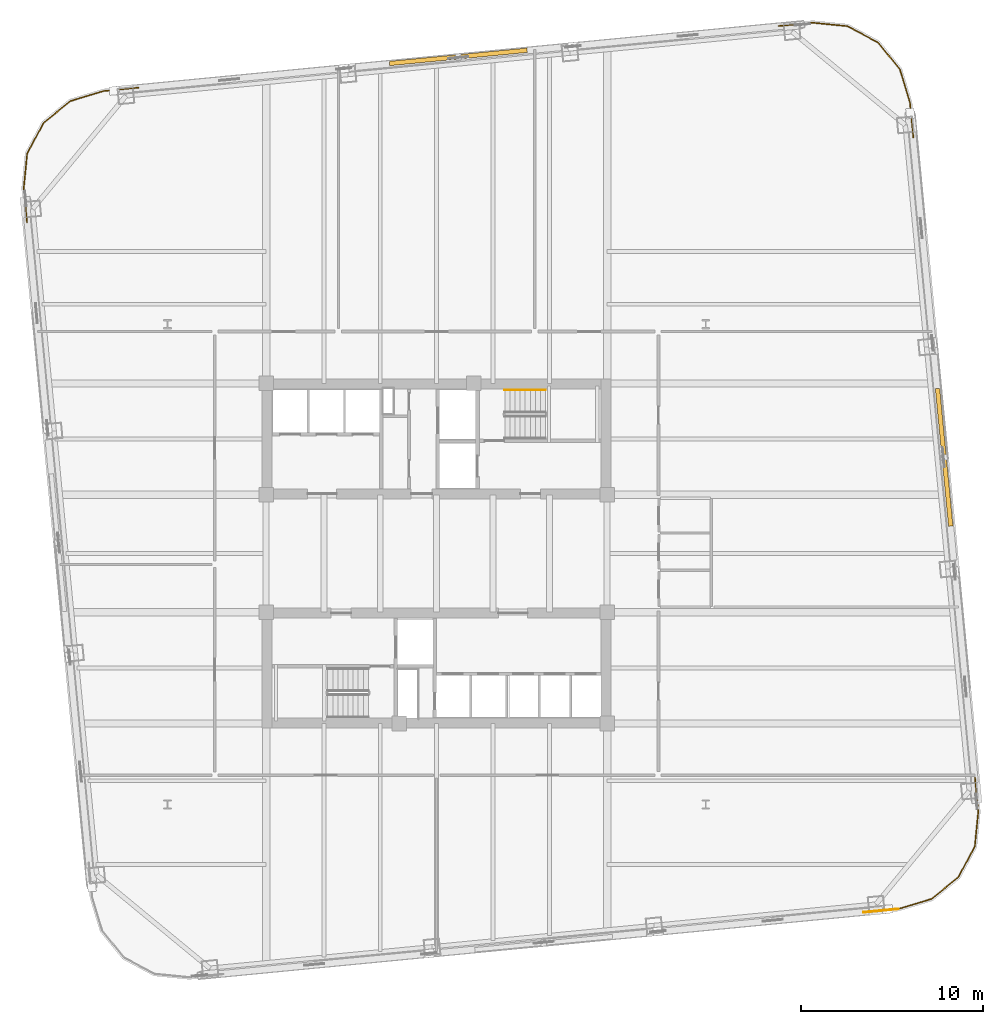
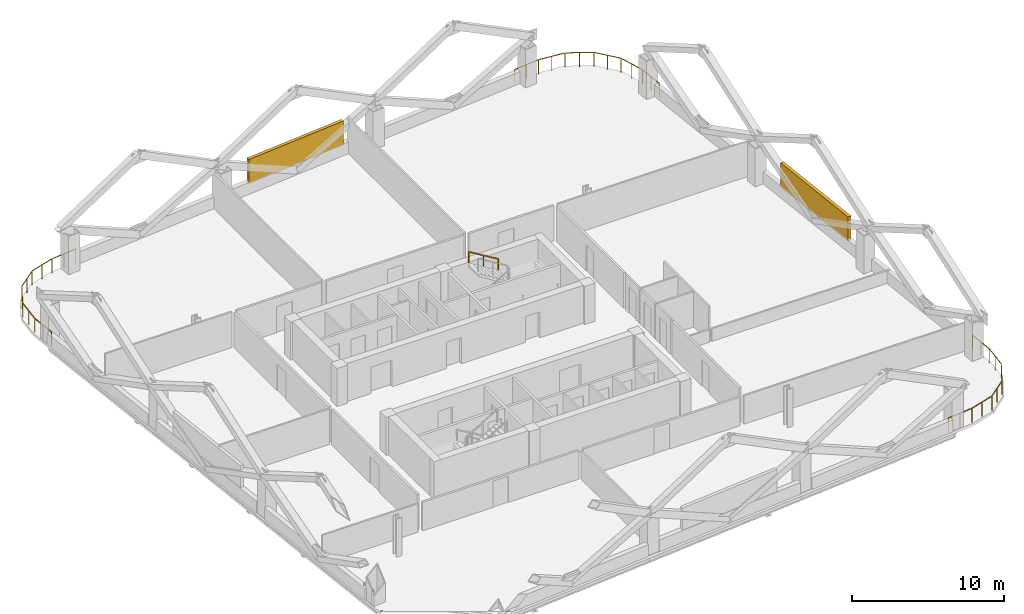
# One storey, part 8 of 8: 5 railings, 2 shading devices.
"""IFC4 building model written with IfcOpenShell, lengths in metres."""

from ifc_helpers import new_model, si_unit, direction, frame, origin, origin_2d, place, context, subcontext, project, spatial, rectangle, extrude, material, type_object, element, save


model = new_model("IFC4")

# Units and contexts
model_context = context("Model", 3, precision=1e-05, world=origin(), true_north=direction((0.0, 1.0)))
body_context = subcontext(model_context, "Body", "Model", "MODEL_VIEW")
ifc_project = project(units=[si_unit("LENGTHUNIT", "METRE"), si_unit("AREAUNIT", "SQUARE_METRE"), si_unit("VOLUMEUNIT", "CUBIC_METRE"), si_unit("PLANEANGLEUNIT", "RADIAN"), si_unit("MASSUNIT", "GRAM", prefix="KILO")], contexts=[model_context])

# Site, building, storey
site_placement = place(None, origin())
site = spatial("IfcSite", under=ifc_project, at=site_placement, CompositionType="ELEMENT")
building_placement = place(site_placement, origin())
building = spatial("IfcBuilding", under=site, at=building_placement, Name="Qhalaya Broadcast Tower", CompositionType="ELEMENT")
storey_placement = place(building_placement, frame((0.0, 0.0, 93.85009765625)))
storey = spatial("IfcBuildingStorey", under=building, at=storey_placement, Name="L27", CompositionType="ELEMENT", Elevation=93.85009765625)

# Railings
ifc_material_1 = material(Name="Powder-Coated Galvanised Steel", Category="steel")
railing_type_1 = type_object("IfcRailingType", Name="Stair Wall Handrail 900", PredefinedType="HANDRAIL", material=ifc_material_1)
railing_1_placement = place(storey_placement, frame((5.989990234375, 9.590087890625, 1.6943359375)))
element("IfcRailing", 1, at=railing_1_placement, inside=storey, type_object=railing_type_1, Name="L27 ST-1 Stair Handrail 2", PredefinedType="HANDRAIL", context=body_context, shape_type="SweptSolid", body=[
    extrude(rectangle(XDim=0.048095703125, YDim=0.048095703125, at=origin_2d()), frame((0.0, 0.0, 0.8759765625), z_axis=(-0.855553338991, 0.0, 0.51771467445), x_axis=(0.0, -1.0, 0.0)), (0.0, 0.0, 1.0), 2.6181640625),
    extrude(rectangle(XDim=0.0419921875, YDim=0.0419921875, at=origin_2d()), origin(), (0.0, 0.0, 1.0), 0.849853515625),
    extrude(rectangle(XDim=0.0419921875, YDim=0.0419921875, at=origin_2d()), frame((-1.1201171875, 0.0, 0.677734375)), (0.0, 0.0, 1.0), 0.849853515625),
    extrude(rectangle(XDim=0.0419921875, YDim=0.0419921875, at=origin_2d()), frame((-2.239990234375, 0.0, 1.35546875)), (0.0, 0.0, 1.0), 0.849853515625),
])
railing_type_2 = type_object("IfcRailingType", Name="Terrace, Sky-Pool & Lookout Glass Balustrade 1150", PredefinedType="BALUSTRADE", material=ifc_material_1)
railing_2_placement = place(storey_placement, frame((25.38427734375, -18.949951171875, 0.0)))
element("IfcRailing", 2, at=railing_2_placement, inside=storey, type_object=railing_type_2, Name="L27 Rounded Corner Perimeter Guard 01", PredefinedType="BALUSTRADE", context=body_context, shape_type="SweptSolid", body=[
    extrude(rectangle(XDim=0.048095703125, YDim=0.048095703125, at=origin_2d()), frame((0.0, 0.0, 1.1259765625), z_axis=(-0.995400577609, -0.095800261458, 0.0), x_axis=(0.095800261458, -0.995400577609, 0.0)), (0.0, 0.0, 1.0), 1.90625),
    extrude(rectangle(XDim=0.0419921875, YDim=0.0419921875, at=origin_2d()), origin(), (0.0, 0.0, 1.0), 1.099853515625),
    extrude(rectangle(XDim=0.0419921875, YDim=0.0419921875, at=origin_2d()), frame((-0.94873046875, -0.09130859375, 0.0)), (0.0, 0.0, 1.0), 1.099853515625),
    extrude(rectangle(XDim=0.0419921875, YDim=0.0419921875, at=origin_2d()), frame((-1.8974609375, -0.1826171875, 0.0)), (0.0, 0.0, 1.0), 1.099853515625),
])
railing_3_placement = place(storey_placement, frame((-22.52197265625, 18.794189453125, 0.0)))
element("IfcRailing", 3, at=railing_3_placement, inside=storey, type_object=railing_type_2, Name="L27 Rounded Corner Perimeter Guard 03", PredefinedType="BALUSTRADE", context=body_context, shape_type="SweptSolid", body=[
    extrude(rectangle(XDim=0.048095703125, YDim=0.048095703125, at=origin_2d()), frame((0.0, 0.0, 1.1259765625), z_axis=(-0.095800261458, 0.995400577609, 0.0), x_axis=(-0.995400577609, -0.095800261458, 0.0)), (0.0, 0.0, 1.0), 1.87744140625),
    extrude(rectangle(XDim=0.048095703125, YDim=0.048095703125, at=origin_2d()), frame((-0.1796875, 1.92626953125, 1.1259765625), z_axis=(0.100071682341, 0.994980230152, 0.0), x_axis=(-0.994980230152, 0.100071682341, 0.0)), (0.0, 0.0, 1.0), 1.857421875),
    extrude(rectangle(XDim=0.048095703125, YDim=0.048095703125, at=origin_2d()), frame((0.022705078125, 3.828369140625, 1.1259765625), z_axis=(0.473342342286, 0.880878554058, 0.0), x_axis=(-0.880878554058, 0.473342342286, 0.0)), (0.0, 0.0, 1.0), 1.845458984375),
    extrude(rectangle(XDim=0.048095703125, YDim=0.048095703125, at=origin_2d()), frame((0.932373046875, 5.497802734375, 1.1259765625), z_axis=(0.774420039683, 0.632671796541, 0.0), x_axis=(-0.632671796541, 0.774420039683, 0.0)), (0.0, 0.0, 1.0), 1.845458984375),
    extrude(rectangle(XDim=0.048095703125, YDim=0.048095703125, at=origin_2d()), frame((2.411376953125, 6.69189453125, 1.1259765625), z_axis=(0.95756627332, 0.288213171456, 0.0), x_axis=(-0.288213171456, 0.95756627332, 0.0)), (0.0, 0.0, 1.0), 1.857421875),
    extrude(rectangle(XDim=0.048095703125, YDim=0.048095703125, at=origin_2d()), frame((4.24658203125, 7.23828125, 1.1259765625), z_axis=(0.995387177703, 0.095939389538, 0.0), x_axis=(-0.095939389538, 0.995387177703, 0.0)), (0.0, 0.0, 1.0), 1.877197265625),
    extrude(rectangle(XDim=0.0419921875, YDim=0.0419921875, at=origin_2d()), origin(), (0.0, 0.0, 1.0), 1.099853515625),
    extrude(rectangle(XDim=0.0419921875, YDim=0.0419921875, at=origin_2d()), frame((-0.09130859375, 0.94873046875, 0.0)), (0.0, 0.0, 1.0), 1.099853515625),
    extrude(rectangle(XDim=0.0419921875, YDim=0.0419921875, at=origin_2d()), frame((-0.1826171875, 1.8974609375, 0.0)), (0.0, 0.0, 1.0), 1.099853515625),
    extrude(rectangle(XDim=0.0419921875, YDim=0.0419921875, at=origin_2d()), frame((-0.0869140625, 2.85009765625, 0.0)), (0.0, 0.0, 1.0), 1.099853515625),
    extrude(rectangle(XDim=0.0419921875, YDim=0.0419921875, at=origin_2d()), frame((0.009033203125, 3.802978515625, 0.0)), (0.0, 0.0, 1.0), 1.099853515625),
    extrude(rectangle(XDim=0.0419921875, YDim=0.0419921875, at=origin_2d()), frame((0.45947265625, 4.64111328125, 0.0)), (0.0, 0.0, 1.0), 1.099853515625),
    extrude(rectangle(XDim=0.0419921875, YDim=0.0419921875, at=origin_2d()), frame((0.909912109375, 5.4794921875, 0.0)), (0.0, 0.0, 1.0), 1.099853515625),
    extrude(rectangle(XDim=0.0419921875, YDim=0.0419921875, at=origin_2d()), frame((1.64697265625, 6.08154296875, 0.0)), (0.0, 0.0, 1.0), 1.099853515625),
    extrude(rectangle(XDim=0.0419921875, YDim=0.0419921875, at=origin_2d()), frame((2.3837890625, 6.68359375, 0.0)), (0.0, 0.0, 1.0), 1.099853515625),
    extrude(rectangle(XDim=0.0419921875, YDim=0.0419921875, at=origin_2d()), frame((3.30078125, 6.95947265625, 0.0)), (0.0, 0.0, 1.0), 1.099853515625),
    extrude(rectangle(XDim=0.0419921875, YDim=0.0419921875, at=origin_2d()), frame((4.2177734375, 7.235595703125, 0.0)), (0.0, 0.0, 1.0), 1.099853515625),
    extrude(rectangle(XDim=0.0419921875, YDim=0.0419921875, at=origin_2d()), frame((5.16650390625, 7.3271484375, 0.0)), (0.0, 0.0, 1.0), 1.099853515625),
    extrude(rectangle(XDim=0.0419921875, YDim=0.0419921875, at=origin_2d()), frame((6.114990234375, 7.41845703125, 0.0)), (0.0, 0.0, 1.0), 1.099853515625),
])
railing_4_placement = place(storey_placement, frame((18.794189453125, 29.60205078125, 0.0)))
element("IfcRailing", 4, at=railing_4_placement, inside=storey, type_object=railing_type_2, Name="L27 Rounded Corner Perimeter Guard 04", PredefinedType="BALUSTRADE", context=body_context, shape_type="SweptSolid", body=[
    extrude(rectangle(XDim=0.048095703125, YDim=0.048095703125, at=origin_2d()), frame((0.0, 0.0, 1.1259765625), z_axis=(0.995400577609, 0.095800261458, 0.0), x_axis=(-0.095800261458, 0.995400577609, 0.0)), (0.0, 0.0, 1.0), 1.87744140625),
    extrude(rectangle(XDim=0.048095703125, YDim=0.048095703125, at=origin_2d()), frame((1.92626953125, 0.1796875, 1.1259765625), z_axis=(0.994980230152, -0.100071682341, 0.0), x_axis=(0.100071682341, 0.994980230152, 0.0)), (0.0, 0.0, 1.0), 1.857421875),
    extrude(rectangle(XDim=0.048095703125, YDim=0.048095703125, at=origin_2d()), frame((3.828369140625, -0.022705078125, 1.1259765625), z_axis=(0.880878554058, -0.473342342286, 0.0), x_axis=(0.473342342286, 0.880878554058, 0.0)), (0.0, 0.0, 1.0), 1.845458984375),
    extrude(rectangle(XDim=0.048095703125, YDim=0.048095703125, at=origin_2d()), frame((5.497802734375, -0.932373046875, 1.1259765625), z_axis=(0.632671796541, -0.774420039683, 0.0), x_axis=(0.774420039683, 0.632671796541, 0.0)), (0.0, 0.0, 1.0), 1.845458984375),
    extrude(rectangle(XDim=0.048095703125, YDim=0.048095703125, at=origin_2d()), frame((6.69189453125, -2.411376953125, 1.1259765625), z_axis=(0.288213171456, -0.95756627332, 0.0), x_axis=(0.95756627332, 0.288213171456, 0.0)), (0.0, 0.0, 1.0), 1.857421875),
    extrude(rectangle(XDim=0.048095703125, YDim=0.048095703125, at=origin_2d()), frame((7.23828125, -4.24658203125, 1.1259765625), z_axis=(0.095927158903, -0.995388356464, 0.0), x_axis=(0.995388356464, 0.095927158903, 0.0)), (0.0, 0.0, 1.0), 1.87744140625),
    extrude(rectangle(XDim=0.0419921875, YDim=0.0419921875, at=origin_2d()), origin(), (0.0, 0.0, 1.0), 1.099853515625),
    extrude(rectangle(XDim=0.0419921875, YDim=0.0419921875, at=origin_2d()), frame((0.94873046875, 0.09130859375, 0.0)), (0.0, 0.0, 1.0), 1.099853515625),
    extrude(rectangle(XDim=0.0419921875, YDim=0.0419921875, at=origin_2d()), frame((1.8974609375, 0.1826171875, 0.0)), (0.0, 0.0, 1.0), 1.099853515625),
    extrude(rectangle(XDim=0.0419921875, YDim=0.0419921875, at=origin_2d()), frame((2.85009765625, 0.0869140625, 0.0)), (0.0, 0.0, 1.0), 1.099853515625),
    extrude(rectangle(XDim=0.0419921875, YDim=0.0419921875, at=origin_2d()), frame((3.802978515625, -0.009033203125, 0.0)), (0.0, 0.0, 1.0), 1.099853515625),
    extrude(rectangle(XDim=0.0419921875, YDim=0.0419921875, at=origin_2d()), frame((4.64111328125, -0.45947265625, 0.0)), (0.0, 0.0, 1.0), 1.099853515625),
    extrude(rectangle(XDim=0.0419921875, YDim=0.0419921875, at=origin_2d()), frame((5.4794921875, -0.909912109375, 0.0)), (0.0, 0.0, 1.0), 1.099853515625),
    extrude(rectangle(XDim=0.0419921875, YDim=0.0419921875, at=origin_2d()), frame((6.08154296875, -1.64697265625, 0.0)), (0.0, 0.0, 1.0), 1.099853515625),
    extrude(rectangle(XDim=0.0419921875, YDim=0.0419921875, at=origin_2d()), frame((6.68359375, -2.3837890625, 0.0)), (0.0, 0.0, 1.0), 1.099853515625),
    extrude(rectangle(XDim=0.0419921875, YDim=0.0419921875, at=origin_2d()), frame((6.95947265625, -3.30078125, 0.0)), (0.0, 0.0, 1.0), 1.099853515625),
    extrude(rectangle(XDim=0.0419921875, YDim=0.0419921875, at=origin_2d()), frame((7.235595703125, -4.2177734375, 0.0)), (0.0, 0.0, 1.0), 1.099853515625),
    extrude(rectangle(XDim=0.0419921875, YDim=0.0419921875, at=origin_2d()), frame((7.3271484375, -5.16650390625, 0.0)), (0.0, 0.0, 1.0), 1.099853515625),
    extrude(rectangle(XDim=0.0419921875, YDim=0.0419921875, at=origin_2d()), frame((7.41845703125, -6.115234375, 0.0)), (0.0, 0.0, 1.0), 1.099853515625),
])
railing_5_placement = place(storey_placement, frame((29.60205078125, -11.71435546875, 0.0)))
element("IfcRailing", 5, at=railing_5_placement, inside=storey, type_object=railing_type_2, Name="L27 Rounded Corner Perimeter Guard 05", PredefinedType="BALUSTRADE", context=body_context, shape_type="SweptSolid", body=[
    extrude(rectangle(XDim=0.048095703125, YDim=0.048095703125, at=origin_2d()), frame((0.0, 0.0, 1.1259765625), z_axis=(0.095800261458, -0.995400577609, 0.0), x_axis=(0.995400577609, 0.095800261458, 0.0)), (0.0, 0.0, 1.0), 1.87744140625),
    extrude(rectangle(XDim=0.048095703125, YDim=0.048095703125, at=origin_2d()), frame((0.1796875, -1.92626953125, 1.1259765625), z_axis=(-0.100084377028, -0.994978953282, 0.0), x_axis=(0.994978953282, -0.100084377028, 0.0)), (0.0, 0.0, 1.0), 1.857177734375),
    extrude(rectangle(XDim=0.048095703125, YDim=0.048095703125, at=origin_2d()), frame((-0.022705078125, -3.828125, 1.1259765625), z_axis=(-0.473288861424, -0.880907290044, 0.0), x_axis=(0.880907290044, -0.473288861424, 0.0)), (0.0, 0.0, 1.0), 1.845703125),
    extrude(rectangle(XDim=0.048095703125, YDim=0.048095703125, at=origin_2d()), frame((-0.932373046875, -5.497802734375, 1.1259765625), z_axis=(-0.774420039683, -0.632671796541, 0.0), x_axis=(0.632671796541, -0.774420039683, 0.0)), (0.0, 0.0, 1.0), 1.845458984375),
    extrude(rectangle(XDim=0.048095703125, YDim=0.048095703125, at=origin_2d()), frame((-2.411376953125, -6.69189453125, 1.1259765625), z_axis=(-0.95756627332, -0.288213171456, 0.0), x_axis=(0.288213171456, -0.95756627332, 0.0)), (0.0, 0.0, 1.0), 1.886474609375),
    extrude(rectangle(XDim=0.0419921875, YDim=0.0419921875, at=origin_2d()), origin(), (0.0, 0.0, 1.0), 1.099853515625),
    extrude(rectangle(XDim=0.0419921875, YDim=0.0419921875, at=origin_2d()), frame((0.09130859375, -0.94873046875, 0.0)), (0.0, 0.0, 1.0), 1.099853515625),
    extrude(rectangle(XDim=0.0419921875, YDim=0.0419921875, at=origin_2d()), frame((0.1826171875, -1.8974609375, 0.0)), (0.0, 0.0, 1.0), 1.099853515625),
    extrude(rectangle(XDim=0.0419921875, YDim=0.0419921875, at=origin_2d()), frame((0.0869140625, -2.85009765625, 0.0)), (0.0, 0.0, 1.0), 1.099853515625),
    extrude(rectangle(XDim=0.0419921875, YDim=0.0419921875, at=origin_2d()), frame((-0.009033203125, -3.802734375, 0.0)), (0.0, 0.0, 1.0), 1.099853515625),
    extrude(rectangle(XDim=0.0419921875, YDim=0.0419921875, at=origin_2d()), frame((-0.45947265625, -4.64111328125, 0.0)), (0.0, 0.0, 1.0), 1.099853515625),
    extrude(rectangle(XDim=0.0419921875, YDim=0.0419921875, at=origin_2d()), frame((-0.909912109375, -5.4794921875, 0.0)), (0.0, 0.0, 1.0), 1.099853515625),
    extrude(rectangle(XDim=0.0419921875, YDim=0.0419921875, at=origin_2d()), frame((-1.64697265625, -6.08154296875, 0.0)), (0.0, 0.0, 1.0), 1.099853515625),
    extrude(rectangle(XDim=0.0419921875, YDim=0.0419921875, at=origin_2d()), frame((-2.3837890625, -6.68359375, 0.0)), (0.0, 0.0, 1.0), 1.099853515625),
    extrude(rectangle(XDim=0.0419921875, YDim=0.0419921875, at=origin_2d()), frame((-3.30078125, -6.95947265625, 0.0)), (0.0, 0.0, 1.0), 1.099853515625),
    extrude(rectangle(XDim=0.0419921875, YDim=0.0419921875, at=origin_2d()), frame((-4.2177734375, -7.235595703125, 0.0)), (0.0, 0.0, 1.0), 1.099853515625),
])

# Shading devices
ifc_material_2 = material(Name="Fired Architectural Terracotta", Category="masonry")
shading_device_type = type_object("IfcShadingDeviceType", Name="Terracotta Baguette Solar Screen Assembly TBS-01", PredefinedType="USERDEFINED", material=ifc_material_2)
for number, where, z_axis, x_axis, name in (
    (6, (27.9072265625, 5.88623046875, 0.79248046875), (0.0, 0.0, 1.0), (-0.09584575252, 0.995396198367, 0.0), "L27 Fired Terracotta Baguette Screen E"),
    (7, (1.193603515625, 27.9072265625, 0.79248046875), (0.0, 0.0, 1.0), (-0.995396198367, -0.09584575252, 0.0), "L27 Fired Terracotta Baguette Screen N"),
):
    element("IfcShadingDevice", number, at=place(storey_placement, frame(where, z_axis=z_axis, x_axis=x_axis)), inside=storey, type_object=shading_device_type, Name=name, ObjectType="BAGUETTE", PredefinedType="USERDEFINED", context=body_context, shape_type="SweptSolid", body=[
        extrude(rectangle(XDim=7.60009765625, YDim=0.239990234375, at=origin_2d()), origin(), (0.0, 0.0, 1.0), 1.924072265625),
    ])

save(model, "model.ifc")
